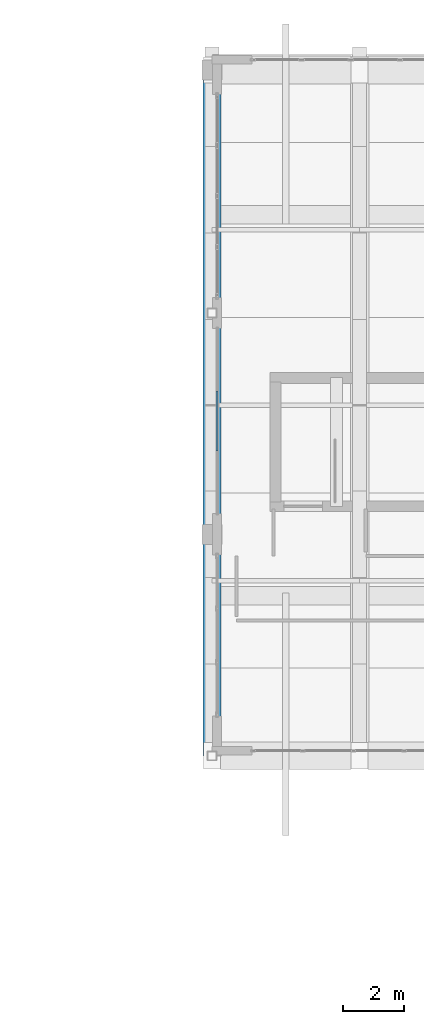
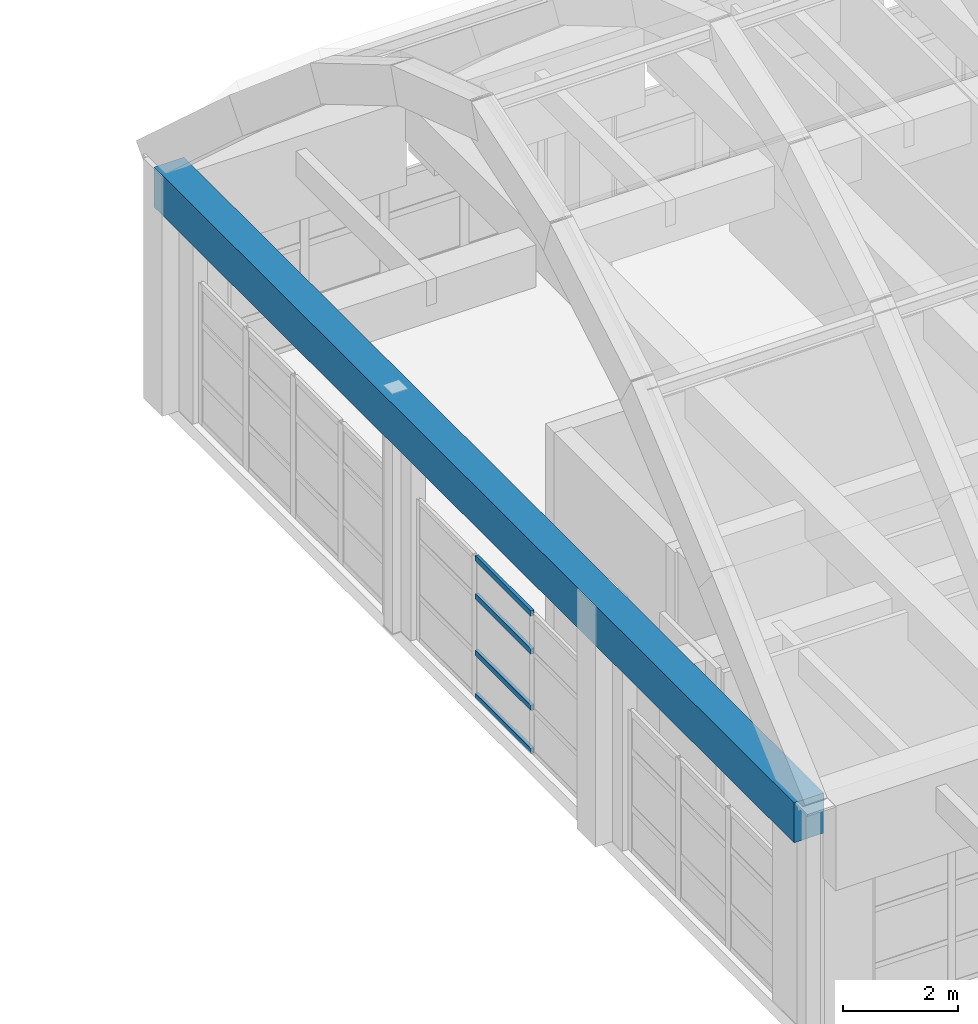
# One storey, part 33 of 78: 4 members, 1 beam, 1 element without a shape of its own.
"""IFC4 building model written with IfcOpenShell, lengths in metres."""

from ifc_helpers import new_model, si_unit, direction, frame, origin, origin_2d, place, context, subcontext, project, spatial, rectangle, hollow_rectangle, extrude, material, layer, layer_set, material_profile, profile_set, type_object, element, aggregate, save


model = new_model("IFC4")

# Units and contexts
model_context = context("Model", 3, precision=1e-05, world=origin(), true_north=direction((0.0, 1.0)))
body_context = subcontext(model_context, "Body", "Model", "MODEL_VIEW")
ifc_project = project(units=[si_unit("LENGTHUNIT", "METRE"), si_unit("AREAUNIT", "SQUARE_METRE"), si_unit("VOLUMEUNIT", "CUBIC_METRE"), si_unit("PLANEANGLEUNIT", "RADIAN"), si_unit("MASSUNIT", "GRAM", prefix="KILO")], contexts=[model_context])

# Site, building, storey
site_placement = place(None, origin())
site = spatial("IfcSite", under=ifc_project, at=site_placement, CompositionType="ELEMENT")
building_placement = place(site_placement, origin())
building = spatial("IfcBuilding", under=site, at=building_placement, Name="Quendrovan Civic Courthouse", CompositionType="ELEMENT")
storey_placement = place(building_placement, frame((0.0, 0.0, 20.39990234375)))
storey = spatial("IfcBuildingStorey", under=building, at=storey_placement, Name="L05", CompositionType="ELEMENT", Elevation=20.39990234375)

# Beam
ifc_material_1 = material(Name="Post-tensioned concrete C50/60", Category="concrete")
ifc_material_profile_1 = material_profile(ifc_material_1, rectangle(XDim=0.60009765625, YDim=0.85009765625, at=origin_2d()), Name="PT-TIE-600x850")
ifc_profile_set_1 = profile_set([ifc_material_profile_1], Name="Post-tensioned concrete C50/60")
beam_type = type_object("IfcBeamType", Name="BM-PTTIE850", PredefinedType="BEAM", material=ifc_profile_set_1)
beam_placement = place(storey_placement, frame((109.199951171875, 87.60009765625, 4.675048828125), z_axis=(0.0, 1.0, 0.0), x_axis=(-1.0, 0.0, 0.0)))
element("IfcBeam", 1, at=beam_placement, inside=storey, type_object=beam_type, Name="BV1 Vault Post-Tensioned Tie Beam A1", PredefinedType="BEAM", context=body_context, shape_type="SweptSolid", body=[
    extrude(rectangle(XDim=0.60009765625, YDim=0.85009765625, at=origin_2d()), origin(), (0.0, 0.0, 1.0), 22.2998046875),
])

# Curtain wall, members
ifc_material_2 = material(Name="Bronze anodised aluminium and low-E glass", Category="aluminium")
ifc_layer = layer(ifc_material_2, 0.179931640625, Name="Bronze anodised aluminium and low-E glass")
ifc_layer_set = layer_set([ifc_layer], Name="Bronze anodised aluminium and low-E glass")
curtain_wall_type = type_object("IfcCurtainWallType", Name="CW-U60x30", PredefinedType="USERDEFINED", material=ifc_layer_set)
curtain_wall_placement = place(storey_placement, origin())
curtain_wall = element("IfcCurtainWall", 2, at=curtain_wall_placement, inside=storey, type_object=curtain_wall_type, Name="L05 Unitised Hurricane Curtain Wall CW-203", ObjectType="UNITISED CURTAIN WALL", PredefinedType="USERDEFINED")
ifc_material_3 = material(Name="Bronze anodised aluminium", Category="aluminium")
ifc_material_profile_2 = material_profile(ifc_material_3, hollow_rectangle(XDim=0.06494140625, YDim=0.114990234375, WallThickness=0.00390625, at=origin_2d()), Name="CW-TRAN-65x115")
ifc_profile_set_2 = profile_set([ifc_material_profile_2], Name="Bronze anodised aluminium")
member_type = type_object("IfcMemberType", Name="CW-TRAN-B", PredefinedType="USERDEFINED", material=ifc_profile_set_2)
member_1_placement = place(storey_placement, frame((109.364990234375, 97.515869140625, 0.03271484375), z_axis=(0.0, 1.0, 0.0), x_axis=(-1.0, 0.0, 0.0)))
member_1 = element("IfcMember", 3, at=member_1_placement, type_object=member_type, Name="CW-203 transom 2.1", ObjectType="TRANSOM", PredefinedType="USERDEFINED", context=body_context, shape_type="SweptSolid", body=[
    extrude(hollow_rectangle(XDim=0.06494140625, YDim=0.114990234375, WallThickness=0.00390625, at=origin_2d()), origin(), (0.0, 0.0, 1.0), 1.943359375),
])
member_2_placement = place(storey_placement, frame((109.364990234375, 97.515869140625, 0.9501953125), z_axis=(0.0, 1.0, 0.0), x_axis=(-1.0, 0.0, 0.0)))
member_2 = element("IfcMember", 4, at=member_2_placement, type_object=member_type, Name="CW-203 transom 2.2", ObjectType="TRANSOM", PredefinedType="USERDEFINED", context=body_context, shape_type="SweptSolid", body=[
    extrude(hollow_rectangle(XDim=0.06494140625, YDim=0.114990234375, WallThickness=0.00390625, at=origin_2d()), origin(), (0.0, 0.0, 1.0), 1.943359375),
])
member_3_placement = place(storey_placement, frame((109.364990234375, 97.515869140625, 2.150146484375), z_axis=(0.0, 1.0, 0.0), x_axis=(-1.0, 0.0, 0.0)))
member_3 = element("IfcMember", 5, at=member_3_placement, type_object=member_type, Name="CW-203 transom 2.3", ObjectType="TRANSOM", PredefinedType="USERDEFINED", context=body_context, shape_type="SweptSolid", body=[
    extrude(hollow_rectangle(XDim=0.06494140625, YDim=0.114990234375, WallThickness=0.00390625, at=origin_2d()), origin(), (0.0, 0.0, 1.0), 1.943359375),
])
member_4_placement = place(storey_placement, frame((109.364990234375, 97.515869140625, 2.95751953125), z_axis=(0.0, 1.0, 0.0), x_axis=(-1.0, 0.0, 0.0)))
member_4 = element("IfcMember", 6, at=member_4_placement, type_object=member_type, Name="CW-203 transom 2.4", ObjectType="TRANSOM", PredefinedType="USERDEFINED", context=body_context, shape_type="SweptSolid", body=[
    extrude(hollow_rectangle(XDim=0.06494140625, YDim=0.114990234375, WallThickness=0.00390625, at=origin_2d()), origin(), (0.0, 0.0, 1.0), 1.943359375),
])
aggregate(curtain_wall, [member_1, member_2, member_3, member_4])

save(model, "model.ifc")
